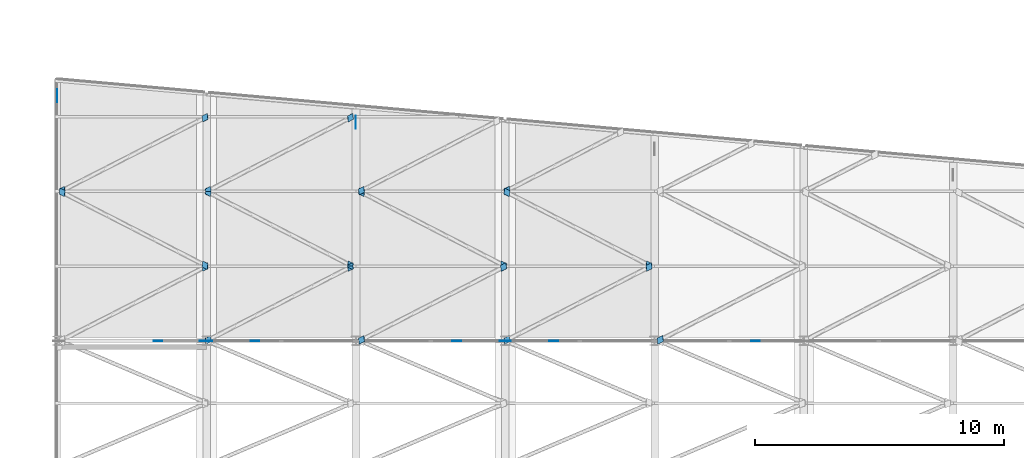
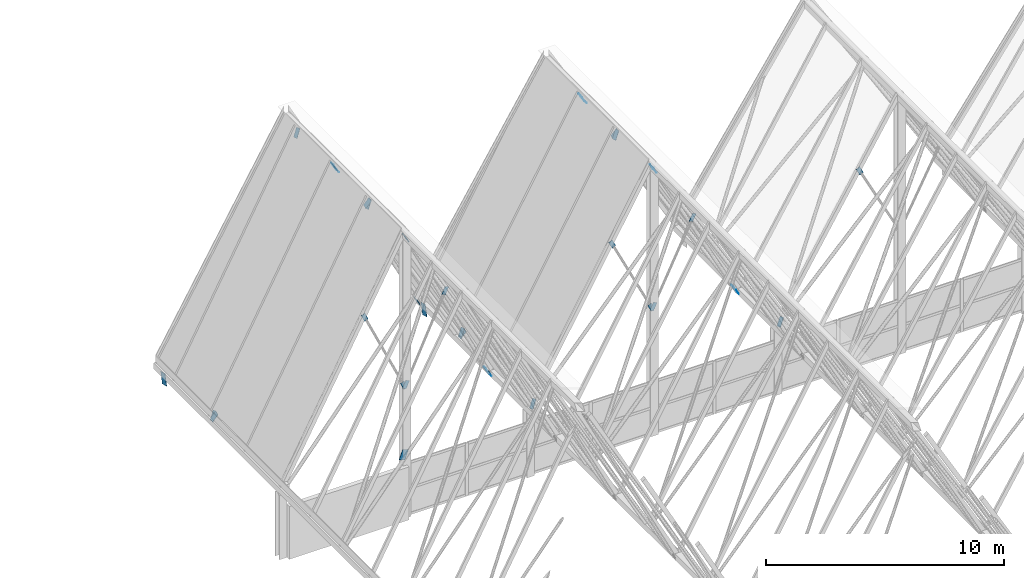
# One storey, part 423 of 483: 34 discrete accessories.
"""IFC4 building model written with IfcOpenShell, lengths in metres."""

from ifc_helpers import new_model, si_unit, direction, frame, origin, place, context, subcontext, project, spatial, polyline, outline, extrude, material, layer, layer_set, type_object, element, save


model = new_model("IFC4")

# Units and contexts
model_context = context("Model", 3, precision=1e-05, world=origin(), true_north=direction((0.0, 1.0)))
body_context = subcontext(model_context, "Body", "Model", "MODEL_VIEW")
ifc_project = project(units=[si_unit("LENGTHUNIT", "METRE"), si_unit("AREAUNIT", "SQUARE_METRE"), si_unit("VOLUMEUNIT", "CUBIC_METRE"), si_unit("PLANEANGLEUNIT", "RADIAN"), si_unit("MASSUNIT", "GRAM", prefix="KILO")], contexts=[model_context])

# Site, building, storey
site_placement = place(None, origin())
site = spatial("IfcSite", under=ifc_project, at=site_placement, CompositionType="ELEMENT")
building_placement = place(site_placement, origin())
building = spatial("IfcBuilding", under=site, at=building_placement, Name="Parallax Yard Mobility Hub", CompositionType="ELEMENT")
storey_placement = place(building_placement, frame((0.0, 0.0, 13.199951171875)))
storey = spatial("IfcBuildingStorey", under=building, at=storey_placement, Name="L04", CompositionType="ELEMENT", Elevation=13.199951171875)

# Discrete accessories
ifc_material = material(Name="Steel ASTM A36", Category="steel")
ifc_layer = layer(ifc_material, 0.011962890625)
ifc_layer_set = layer_set([ifc_layer], Name="Gusset plate PL12")
discrete_accessory_type = type_object("IfcDiscreteAccessoryType", Name="Gusset plate PL12", PredefinedType="BRACKET", material=ifc_layer_set)
discrete_accessory_1_placement = place(storey_placement, frame((27.16162109375, 52.7109375, 13.38818359375), z_axis=(0.868889306865, 7.9568986e-05, 0.495006430346), x_axis=(-0.47975278395, -0.246198858882, 0.842154016898)))
element("IfcDiscreteAccessory", 1, at=discrete_accessory_1_placement, inside=storey, type_object=discrete_accessory_type, Name="Gusset plate PL12 at end 1 of Plate diagonal plate F4-F5 bay 19", PredefinedType="BRACKET", context=body_context, shape_type="SweptSolid", body=[
    extrude(outline(polyline([(0.0, 0.0), (0.44822123950168735, 0.0), (0.4482869399709549, 0.24809899767087856), (-0.00013990353876427303, 0.24815121480525415), (0.0, 0.0)])), origin(), (0.0, 0.0, -1.0), 0.011962890625),
])
discrete_accessory_2_placement = place(storey_placement, frame((32.68603515625, 55.2890625, 3.697265625), z_axis=(0.868889306865, 7.9568986e-05, 0.495006430346), x_axis=(0.479766979673, 0.246085996316, -0.84217891664)))
element("IfcDiscreteAccessory", 2, at=discrete_accessory_2_placement, inside=storey, type_object=discrete_accessory_type, Name="Gusset plate PL12 at end 2 of Plate diagonal plate F4-F5 bay 19", PredefinedType="BRACKET", context=body_context, shape_type="SweptSolid", body=[
    extrude(outline(polyline([(0.0, 0.0), (0.4484268465499354, 0.0), (0.4482580470050481, 0.24815119683176468), (3.681054218297036e-05, 0.248099003639334), (0.0, 0.0)])), origin(), (0.0, 0.0, -1.0), 0.011962890625),
])
discrete_accessory_3_placement = place(storey_placement, frame((33.32080078125, 52.71484375, 3.689697265625), z_axis=(-0.854141993401, -0.000367941649, 0.520039728989), x_axis=(-0.50240475338, -0.257625649475, -0.825359611632)))
element("IfcDiscreteAccessory", 3, at=discrete_accessory_3_placement, inside=storey, type_object=discrete_accessory_type, Name="Gusset plate PL12 at end 1 of Plate diagonal plate F5-F6 bay 19", PredefinedType="BRACKET", context=body_context, shape_type="SweptSolid", body=[
    extrude(outline(polyline([(0.0, 0.0), (0.448241291795483, 1.3877787807814457e-17), (0.4483295166068283, 0.24835071098278552), (-5.3518476674355164e-05, 0.24813570610908123), (0.0, 0.0)])), origin(), (0.0, 0.0, -1.0), 0.011962890625),
])
discrete_accessory_4_placement = place(storey_placement, frame((14.8447265625, 55.29296875, 14.0390625), z_axis=(-0.881445837463, -0.0001896454, 0.472285083031), x_axis=(0.459060151254, 0.234645438953, 0.856857803553)))
element("IfcDiscreteAccessory", 4, at=discrete_accessory_4_placement, inside=storey, type_object=discrete_accessory_type, Name="Gusset plate PL12 at end 2 of Plate diagonal plate F1-F2 bay 19", PredefinedType="BRACKET", context=body_context, shape_type="SweptSolid", body=[
    extrude(outline(polyline([(0.0, 0.0), (0.44844093615426306, 0.0), (0.44823558948538844, 0.24818827727716103), (3.847130820834599e-06, 0.24813780359874327), (0.0, 0.0)])), origin(), (0.0, 0.0, -1.0), 0.011962890625),
])
for number, where, z_axis, x_axis, name in (
    (5, (15.1552734375, 52.70751953125, 14.039306640625), (0.881412586897, -6.6393686e-05, 0.472347168141), (-0.459043387023, -0.235783843038, 0.856554229569), "Gusset plate PL12 at end 1 of Plate diagonal plate F2-F3 bay 19"),
    (6, (20.6923828125, 55.29248046875, 3.70361328125), (0.881412586897, -6.6393686e-05, 0.472347168141), (0.459043387023, 0.235783843038, -0.856554229569), "Gusset plate PL12 at end 2 of Plate diagonal plate F2-F3 bay 19"),
):
    element("IfcDiscreteAccessory", number, at=place(storey_placement, frame(where, z_axis=z_axis, x_axis=x_axis)), inside=storey, type_object=discrete_accessory_type, Name=name, PredefinedType="BRACKET", context=body_context, shape_type="SweptSolid", body=[
        extrude(outline(polyline([(0.0, 0.0), (0.4483466265644554, 1.3877787807814457e-17), (0.44843197611250285, 0.24818835424786873), (0.00014291396285161934, 0.2484256114556853), (0.0, 0.0)])), origin(), (0.0, 0.0, -1.0), 0.011962890625),
    ])
discrete_accessory_5_placement = place(storey_placement, frame((21.31396484375, 52.7109375, 3.697265625), z_axis=(-0.868889306865, -7.9568986e-05, 0.495006430346), x_axis=(-0.479766979673, -0.246085996316, -0.84217891664)))
element("IfcDiscreteAccessory", 7, at=discrete_accessory_5_placement, inside=storey, type_object=discrete_accessory_type, Name="Gusset plate PL12 at end 1 of Plate diagonal plate F3-F4 bay 19", PredefinedType="BRACKET", context=body_context, shape_type="SweptSolid", body=[
    extrude(outline(polyline([(0.0, 0.0), (0.4484268465499354, 0.0), (0.4482580470050481, 0.24815119683176468), (3.681054218297036e-05, 0.248099003639334), (0.0, 0.0)])), origin(), (0.0, 0.0, -1.0), 0.011962890625),
])
discrete_accessory_6_placement = place(storey_placement, frame((26.83837890625, 55.2890625, 13.38818359375), z_axis=(-0.868889306865, -7.9568986e-05, 0.495006430346), x_axis=(0.47975278395, 0.246198858882, 0.842154016898)))
element("IfcDiscreteAccessory", 8, at=discrete_accessory_6_placement, inside=storey, type_object=discrete_accessory_type, Name="Gusset plate PL12 at end 2 of Plate diagonal plate F3-F4 bay 19", PredefinedType="BRACKET", context=body_context, shape_type="SweptSolid", body=[
    extrude(outline(polyline([(0.0, 0.0), (0.44822123950168735, 0.0), (0.4482869399709549, 0.24809899767087856), (-0.00013990353876427303, 0.24815121480525415), (0.0, 0.0)])), origin(), (0.0, 0.0, -1.0), 0.011962890625),
])
discrete_accessory_7_placement = place(storey_placement, frame((32.65576171875, 55.470458984375, 3.750244140625), z_axis=(0.868889306865, -7.9568986e-05, 0.495006430346), x_axis=(0.47975278395, -0.246198858882, -0.842154016898)))
element("IfcDiscreteAccessory", 9, at=discrete_accessory_7_placement, inside=storey, type_object=discrete_accessory_type, Name="Gusset plate PL12 at end 1 of Plate diagonal plate F4-F5 bay 20", PredefinedType="BRACKET", context=body_context, shape_type="SweptSolid", body=[
    extrude(outline(polyline([(0.0, 0.0), (0.44822123950168735, 0.0), (0.44836114304045166, 0.2481512148052542), (-6.570046926750867e-05, 0.24809899767087853), (0.0, 0.0)])), origin(), (0.0, 0.0, -1.0), 0.011962890625),
])
discrete_accessory_8_placement = place(storey_placement, frame((27.19189453125, 58.529541015625, 13.3349609375), z_axis=(0.868889306865, -7.9568986e-05, 0.495006430346), x_axis=(-0.479766979673, 0.246085996316, 0.84217891664)))
element("IfcDiscreteAccessory", 10, at=discrete_accessory_8_placement, inside=storey, type_object=discrete_accessory_type, Name="Gusset plate PL12 at end 2 of Plate diagonal plate F4-F5 bay 20", PredefinedType="BRACKET", context=body_context, shape_type="SweptSolid", body=[
    extrude(outline(polyline([(0.0, 0.0), (0.4484268465499354, 0.0), (0.4483900360077524, 0.24809900363933396), (0.0001687995448872645, 0.24815119683176468), (0.0, 0.0)])), origin(), (0.0, 0.0, -1.0), 0.011962890625),
])
discrete_accessory_9_placement = place(storey_placement, frame((14.817138671875, 55.4658203125, 13.98779296875), z_axis=(-0.881445837463, 0.0001896454, 0.472285083031), x_axis=(0.459047651077, -0.234754899824, 0.856834517891)))
element("IfcDiscreteAccessory", 11, at=discrete_accessory_9_placement, inside=storey, type_object=discrete_accessory_type, Name="Gusset plate PL12 at end 1 of Plate diagonal plate F1-F2 bay 20", PredefinedType="BRACKET", context=body_context, shape_type="SweptSolid", body=[
    extrude(outline(polyline([(0.0, 0.0), (0.4482317451963925, 0.0), (0.44840914432247897, 0.24818829882693788), (-3.1788988632999726e-05, 0.2481378015923191), (0.0, 0.0)])), origin(), (0.0, 0.0, -1.0), 0.011962890625),
])
discrete_accessory_10_placement = place(storey_placement, frame((9.309814453125, 58.5341796875, 3.707763671875), z_axis=(-0.881445837463, 0.0001896454, 0.472285083031), x_axis=(-0.459060151254, 0.234645438953, -0.856857803553)))
element("IfcDiscreteAccessory", 12, at=discrete_accessory_10_placement, inside=storey, type_object=discrete_accessory_type, Name="Gusset plate PL12 at end 2 of Plate diagonal plate F1-F2 bay 20", PredefinedType="BRACKET", context=body_context, shape_type="SweptSolid", body=[
    extrude(outline(polyline([(0.0, 0.0), (0.44844093615426306, 0.0), (0.44843708902344226, 0.24813780359874327), (0.00020534666887462444, 0.24818827727716097), (0.0, 0.0)])), origin(), (0.0, 0.0, -1.0), 0.011962890625),
])
for number, where, z_axis, x_axis, name in (
    (13, (20.664794921875, 55.466064453125, 3.755126953125), (0.881412586897, 6.6393686e-05, 0.472347168141), (0.459102236223, -0.235269481534, -0.856664116065), "Gusset plate PL12 at end 1 of Plate diagonal plate F2-F3 bay 20"),
    (14, (15.182861328125, 58.533935546875, 13.98779296875), (0.881412586897, 6.6393686e-05, 0.472347168141), (-0.459102236223, 0.235269481534, 0.856664116065), "Gusset plate PL12 at end 2 of Plate diagonal plate F2-F3 bay 20"),
):
    element("IfcDiscreteAccessory", number, at=place(storey_placement, frame(where, z_axis=z_axis, x_axis=x_axis)), inside=storey, type_object=discrete_accessory_type, Name=name, PredefinedType="BRACKET", context=body_context, shape_type="SweptSolid", body=[
        extrude(outline(polyline([(0.0, 0.0), (0.44828912493389417, 0.0), (0.4483351291886157, 0.24818836465962607), (-1.1434583543613874e-05, 0.24842565230020477), (0.0, 0.0)])), origin(), (0.0, 0.0, -1.0), 0.011962890625),
    ])
discrete_accessory_11_placement = place(storey_placement, frame((26.80810546875, 55.470458984375, 13.3349609375), z_axis=(-0.868889306865, 7.9568986e-05, 0.495006430346), x_axis=(0.479766979673, -0.246085996316, 0.84217891664)))
element("IfcDiscreteAccessory", 15, at=discrete_accessory_11_placement, inside=storey, type_object=discrete_accessory_type, Name="Gusset plate PL12 at end 1 of Plate diagonal plate F3-F4 bay 20", PredefinedType="BRACKET", context=body_context, shape_type="SweptSolid", body=[
    extrude(outline(polyline([(0.0, 0.0), (0.4484268465499354, 0.0), (0.4483900360077524, 0.24809900363933396), (0.0001687995448872645, 0.24815119683176468), (0.0, 0.0)])), origin(), (0.0, 0.0, -1.0), 0.011962890625),
])
discrete_accessory_12_placement = place(storey_placement, frame((21.34423828125, 58.529541015625, 3.750244140625), z_axis=(-0.868889306865, 7.9568986e-05, 0.495006430346), x_axis=(-0.47975278395, 0.246198858882, -0.842154016898)))
element("IfcDiscreteAccessory", 16, at=discrete_accessory_12_placement, inside=storey, type_object=discrete_accessory_type, Name="Gusset plate PL12 at end 2 of Plate diagonal plate F3-F4 bay 20", PredefinedType="BRACKET", context=body_context, shape_type="SweptSolid", body=[
    extrude(outline(polyline([(0.0, 0.0), (0.44822123950168735, 0.0), (0.44836114304045166, 0.2481512148052542), (-6.570046926750867e-05, 0.24809899767087853), (0.0, 0.0)])), origin(), (0.0, 0.0, -1.0), 0.011962890625),
])
discrete_accessory_13_placement = place(storey_placement, frame((27.16650390625, 58.71337890625, 13.39306640625), z_axis=(0.860046214246, -0.004527806364, 0.510196048918), x_axis=(-0.494545143979, -0.253326145643, 0.831415037451)))
element("IfcDiscreteAccessory", 17, at=discrete_accessory_13_placement, inside=storey, type_object=discrete_accessory_type, Name="Gusset plate PL12 at end 1 of Plate diagonal plate F4-F5 bay 21", PredefinedType="BRACKET", context=body_context, shape_type="SweptSolid", body=[
    extrude(outline(polyline([(0.0, 0.0), (0.4481403797870827, -1.3877787807814457e-17), (0.44807548244678747, 0.24835424684974192), (-0.00032972673069917025, 0.248171810585895), (0.0, 0.0)])), origin(), (0.0, 0.0, -1.0), 0.011962890625),
])
discrete_accessory_14_placement = place(storey_placement, frame((9.2822265625, 58.70703125, 3.65625), z_axis=(-0.881445837463, -0.0001896454, 0.472285083031), x_axis=(-0.459047651077, -0.234754899824, -0.856834517891)))
element("IfcDiscreteAccessory", 18, at=discrete_accessory_14_placement, inside=storey, type_object=discrete_accessory_type, Name="Gusset plate PL12 at end 1 of Plate diagonal plate F1-F2 bay 21", PredefinedType="BRACKET", context=body_context, shape_type="SweptSolid", body=[
    extrude(outline(polyline([(0.0, 0.0), (0.4482317451963925, 0.0), (0.4482635341850255, 0.24813780159231913), (-0.0001773991260864763, 0.24818829882693788), (0.0, 0.0)])), origin(), (0.0, 0.0, -1.0), 0.011962890625),
])
discrete_accessory_15_placement = place(storey_placement, frame((14.8447265625, 61.29296875, 14.0390625), z_axis=(-0.881445837463, -0.0001896454, 0.472285083031), x_axis=(0.459060151254, 0.234645438953, 0.856857803553)))
element("IfcDiscreteAccessory", 19, at=discrete_accessory_15_placement, inside=storey, type_object=discrete_accessory_type, Name="Gusset plate PL12 at end 2 of Plate diagonal plate F1-F2 bay 21", PredefinedType="BRACKET", context=body_context, shape_type="SweptSolid", body=[
    extrude(outline(polyline([(0.0, 0.0), (0.44844093615426306, 0.0), (0.44823558948538844, 0.24818827727716103), (3.847130820834599e-06, 0.24813780359874327), (0.0, 0.0)])), origin(), (0.0, 0.0, -1.0), 0.011962890625),
])
for number, where, z_axis, x_axis, name in (
    (20, (15.1552734375, 58.70751953125, 14.039306640625), (0.881412586897, -6.6393686e-05, 0.472347168141), (-0.459043387023, -0.235783843038, 0.856554229569), "Gusset plate PL12 at end 1 of Plate diagonal plate F2-F3 bay 21"),
    (21, (20.6923828125, 61.29248046875, 3.70361328125), (0.881412586897, -6.6393686e-05, 0.472347168141), (0.459043387023, 0.235783843038, -0.856554229569), "Gusset plate PL12 at end 2 of Plate diagonal plate F2-F3 bay 21"),
):
    element("IfcDiscreteAccessory", number, at=place(storey_placement, frame(where, z_axis=z_axis, x_axis=x_axis)), inside=storey, type_object=discrete_accessory_type, Name=name, PredefinedType="BRACKET", context=body_context, shape_type="SweptSolid", body=[
        extrude(outline(polyline([(0.0, 0.0), (0.4483466265644554, 1.3877787807814457e-17), (0.44843197611250285, 0.24818835424786873), (0.00014291396285161934, 0.2484256114556853), (0.0, 0.0)])), origin(), (0.0, 0.0, -1.0), 0.011962890625),
    ])
discrete_accessory_16_placement = place(storey_placement, frame((21.31005859375, 58.708984375, 3.700927734375), z_axis=(-0.875569947592, -0.003577916145, 0.483078115204), x_axis=(-0.468199277407, -0.240088234112, -0.850380548035)))
element("IfcDiscreteAccessory", 22, at=discrete_accessory_16_placement, inside=storey, type_object=discrete_accessory_type, Name="Gusset plate PL12 at end 1 of Plate diagonal plate F3-F4 bay 21", PredefinedType="BRACKET", context=body_context, shape_type="SweptSolid", body=[
    extrude(outline(polyline([(0.0, 0.0), (0.4484435317002686, 0.0), (0.4484519053133445, 0.2482267912313692), (8.373613075901565e-06, 0.24822679123136926), (0.0, 0.0)])), origin(), (0.0, 0.0, -1.0), 0.011962890625),
])
discrete_accessory_17_placement = place(storey_placement, frame((14.71630859375, 52.5, 2.957275390625), z_axis=(0.0, 1.0, 0.0), x_axis=(0.341507347771, 0.0, 0.939879104682)))
element("IfcDiscreteAccessory", 23, at=discrete_accessory_17_placement, inside=storey, type_object=discrete_accessory_type, Name="Gusset plate PL12 at end 2 of X brace west end bay north face level 0 1 (half 2)", PredefinedType="BRACKET", context=body_context, shape_type="SweptSolid", body=[
    extrude(outline(polyline([(0.0, 0.0), (0.4989941134860528, 0.0), (0.4991276581332899, 0.2991920898345452), (-0.00017929384213138944, 0.2990460029798305), (0.0, 0.0)])), origin(), (0.0, 0.0, -1.0), 0.011962890625),
])
discrete_accessory_18_placement = place(storey_placement, frame((14.957275390625, 52.5, 6.92626953125), z_axis=(0.0, 1.0, 0.0), x_axis=(0.416739996786, 0.0, -0.909025728502)))
element("IfcDiscreteAccessory", 24, at=discrete_accessory_18_placement, inside=storey, type_object=discrete_accessory_type, Name="Gusset plate PL12 at end 1 of Gable knee brace F2 north west", PredefinedType="BRACKET", context=body_context, shape_type="SweptSolid", body=[
    extrude(outline(polyline([(0.0, 0.0), (0.39426654962843893, -2.7755575615628914e-17), (0.39438703893175614, 0.19423419937499578), (1.874614003931352e-05, 0.19445612948449334), (0.0, 0.0)])), origin(), (0.0, 0.0, -1.0), 0.011962890625),
])
discrete_accessory_19_placement = place(storey_placement, frame((13.042724609375, 52.5, 10.632568359375), z_axis=(0.0, 1.0, 0.0), x_axis=(-0.416739996786, 0.0, 0.909025728502)))
element("IfcDiscreteAccessory", 25, at=discrete_accessory_19_placement, inside=storey, type_object=discrete_accessory_type, Name="Gusset plate PL12 at end 2 of Gable knee brace F2 north west", PredefinedType="BRACKET", context=body_context, shape_type="SweptSolid", body=[
    extrude(outline(polyline([(0.0, 0.0), (0.39426654962843893, -2.7755575615628914e-17), (0.39438703893175614, 0.19423419937499578), (0.00024067624953690026, 0.1945578726477712), (0.0, 0.0)])), origin(), (0.0, 0.0, -1.0), 0.011962890625),
])
discrete_accessory_20_placement = place(storey_placement, frame((15.219482421875, 52.5, 6.84521484375), z_axis=(0.0, 1.0, 0.0), x_axis=(-0.417251483454, 0.0, -0.908791064852)))
element("IfcDiscreteAccessory", 26, at=discrete_accessory_20_placement, inside=storey, type_object=discrete_accessory_type, Name="Gusset plate PL12 at end 1 of Gable knee brace F2 north east", PredefinedType="BRACKET", context=body_context, shape_type="SweptSolid", body=[
    extrude(outline(polyline([(0.0, 0.0), (0.3943683552371142, 0.0), (0.3943571709124726, 0.19423423642455187), (9.068371331094616e-05, 0.1944561092431193), (0.0, 0.0)])), origin(), (0.0, 0.0, -1.0), 0.011962890625),
])
discrete_accessory_21_placement = place(storey_placement, frame((16.780517578125, 52.5, 10.7138671875), z_axis=(0.0, 1.0, 0.0), x_axis=(0.417486348589, 0.0, 0.908683194926)))
element("IfcDiscreteAccessory", 27, at=discrete_accessory_21_placement, inside=storey, type_object=discrete_accessory_type, Name="Gusset plate PL12 at end 2 of Gable knee brace F2 north east", PredefinedType="BRACKET", context=body_context, shape_type="SweptSolid", body=[
    extrude(outline(polyline([(0.0, 0.0), (0.3941464955825575, 0.0), (0.3941855115284669, 0.19423423282797964), (-8.090515915333552e-05, 0.1945580046891895), (0.0, 0.0)])), origin(), (0.0, 0.0, -1.0), 0.011962890625),
])
for number, where, z_axis, x_axis, name in (
    (28, (26.94970703125, 52.5, 6.72509765625), (0.0, 1.0, 0.0), (0.437776940286, 0.0, -0.899083617109), "Gusset plate PL12 at end 1 of Gable knee brace F4 north west"),
    (29, (25.05029296875, 52.5, 10.184326171875), (0.0, 1.0, 0.0), (-0.437776940286, 0.0, 0.899083617109), "Gusset plate PL12 at end 2 of Gable knee brace F4 north west"),
):
    element("IfcDiscreteAccessory", number, at=place(storey_placement, frame(where, z_axis=z_axis, x_axis=x_axis)), inside=storey, type_object=discrete_accessory_type, Name=name, PredefinedType="BRACKET", context=body_context, shape_type="SweptSolid", body=[
        extrude(outline(polyline([(0.0, 0.0), (0.394281667193479, 2.7755575615628914e-17), (0.39425007208826723, 0.19413846715148267), (-3.1595105211792984e-05, 0.19413846715148264), (0.0, 0.0)])), origin(), (0.0, 0.0, -1.0), 0.011962890625),
    ])
for number, where, z_axis, x_axis, name in (
    (30, (27.224853515625, 52.5, 6.64013671875), (0.0, 1.0, 0.0), (-0.437776940286, 0.0, -0.899083617109), "Gusset plate PL12 at end 1 of Gable knee brace F4 north east"),
    (31, (28.775146484375, 52.5, 10.269287109375), (0.0, 1.0, 0.0), (0.437776940286, 0.0, 0.899083617109), "Gusset plate PL12 at end 2 of Gable knee brace F4 north east"),
):
    element("IfcDiscreteAccessory", number, at=place(storey_placement, frame(where, z_axis=z_axis, x_axis=x_axis)), inside=storey, type_object=discrete_accessory_type, Name=name, PredefinedType="BRACKET", context=body_context, shape_type="SweptSolid", body=[
        extrude(outline(polyline([(0.0, 0.0), (0.394281667193479, -2.7755575615628914e-17), (0.39431326229869085, 0.1941384671514826), (3.1595105211792984e-05, 0.19413846715148264), (0.0, 0.0)])), origin(), (0.0, 0.0, -1.0), 0.011962890625),
    ])
discrete_accessory_22_placement = place(storey_placement, frame((37.058349609375, 52.5, 9.73681640625), z_axis=(0.0, 1.0, 0.0), x_axis=(-0.460046045326, 0.0, 0.887895059216)))
element("IfcDiscreteAccessory", 32, at=discrete_accessory_22_placement, inside=storey, type_object=discrete_accessory_type, Name="Gusset plate PL12 at end 2 of Gable knee brace F6 north west", PredefinedType="BRACKET", context=body_context, shape_type="SweptSolid", body=[
    extrude(outline(polyline([(0.0, 0.0), (0.39430071450018045, 0.0), (0.39423163188972443, 0.19436490709348586), (4.323331857861157e-05, 0.19414813583879448), (0.0, 0.0)])), origin(), (0.0, 0.0, -1.0), 0.011962890625),
])
for number, where, z_axis, x_axis, name in (
    (33, (9.0, 62.4638671875, 2.813720703125), (1.0, 0.0, 0.0), (0.0, 0.243419704446, 0.969921052193), "Gusset plate PL12 at end 2 of Prow strut F1"),
    (34, (21.0, 61.392333984375, 2.813720703125), (1.0, 0.0, 0.0), (0.0, 0.243419704446, 0.969921052193), "Gusset plate PL12 at end 2 of Prow strut F3"),
):
    element("IfcDiscreteAccessory", number, at=place(storey_placement, frame(where, z_axis=z_axis, x_axis=x_axis)), inside=storey, type_object=discrete_accessory_type, Name=name, PredefinedType="BRACKET", context=body_context, shape_type="SweptSolid", body=[
        extrude(outline(polyline([(0.0, 0.0), (0.5847266337735966, 0.0), (0.5845535465889485, 0.38482398330227263), (-0.00017308718464807693, 0.38482398330227263), (0.0, 0.0)])), origin(), (0.0, 0.0, -1.0), 0.011962890625),
    ])

save(model, "model.ifc")
